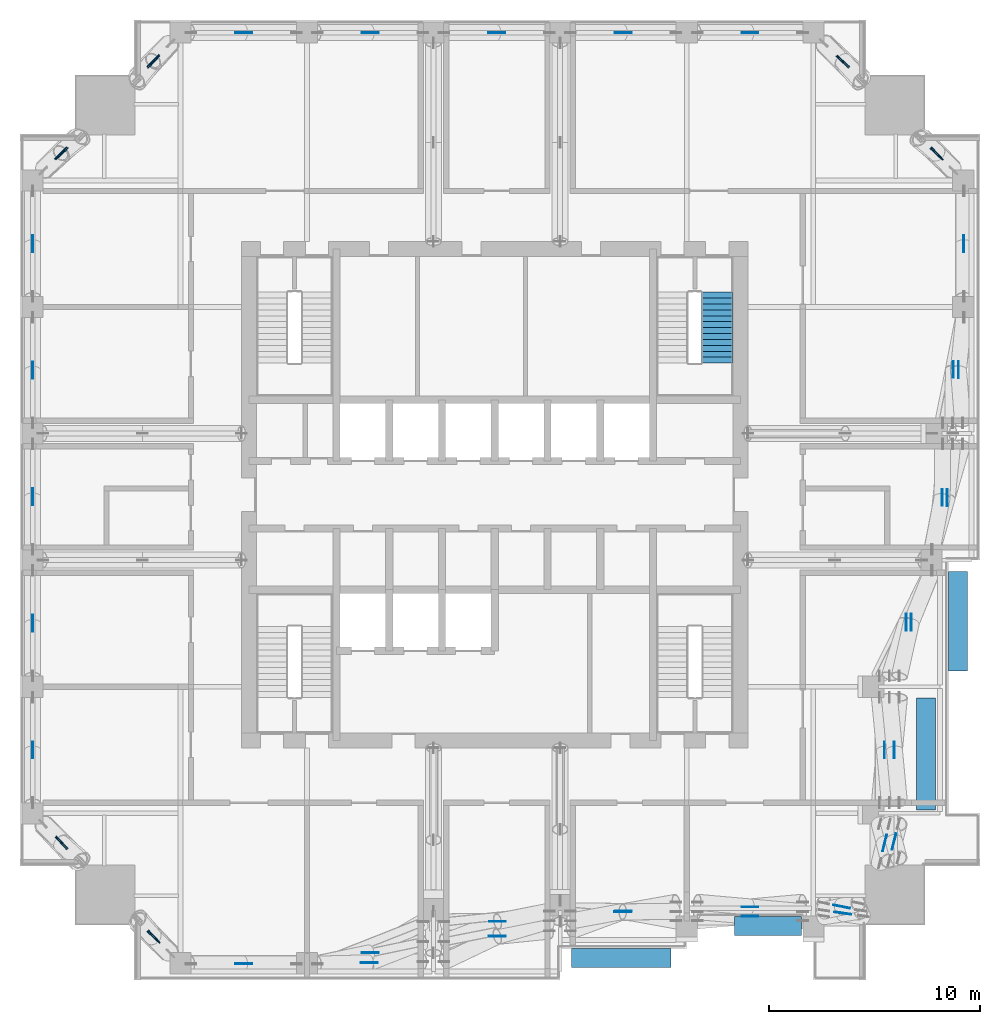
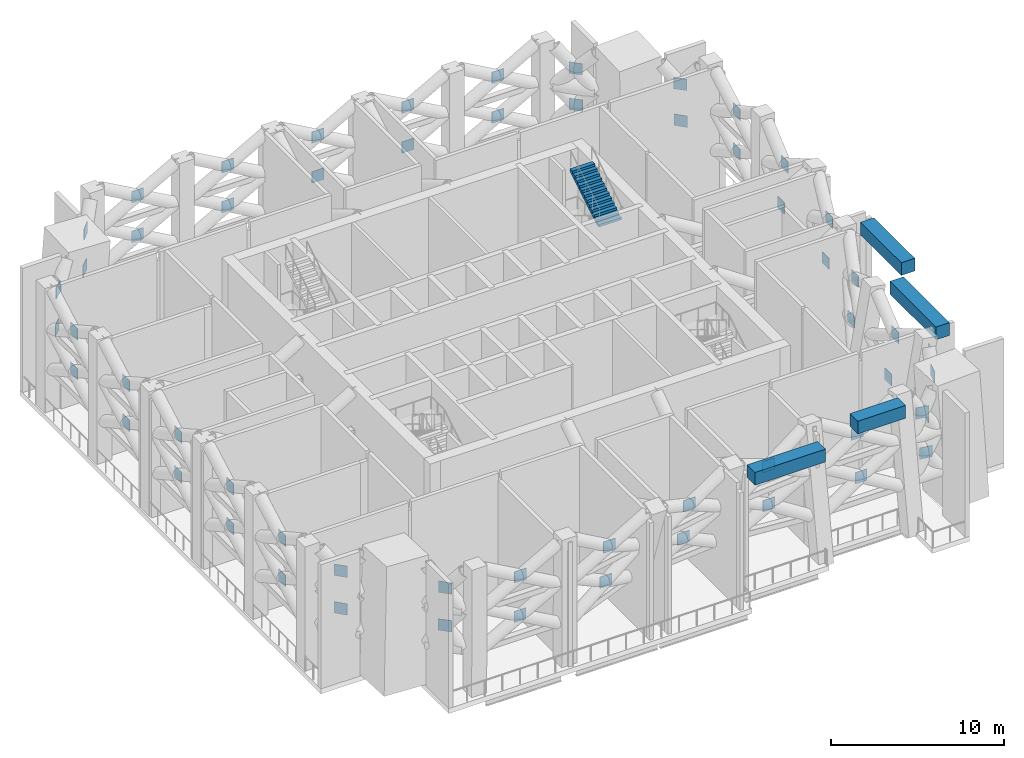
# One storey, part 11 of 18: 60 discrete accessories, 1 stair flight, 1 element without a shape of its own.
"""IFC4 building model written with IfcOpenShell, lengths in metres."""

from ifc_helpers import new_model, si_unit, direction, frame, origin, origin_2d, place, context, subcontext, project, spatial, polyline, rectangle, outline, extrude, material, type_object, element, aggregate, save


model = new_model("IFC4")

# Units and contexts
model_context = context("Model", 3, precision=1e-05, world=origin(), true_north=direction((0.0, 1.0)))
body_context = subcontext(model_context, "Body", "Model", "MODEL_VIEW")
ifc_project = project(units=[si_unit("LENGTHUNIT", "METRE"), si_unit("AREAUNIT", "SQUARE_METRE"), si_unit("VOLUMEUNIT", "CUBIC_METRE"), si_unit("PLANEANGLEUNIT", "RADIAN"), si_unit("MASSUNIT", "GRAM", prefix="KILO")], contexts=[model_context])

# Site, building, storey
site_placement = place(None, origin())
site = spatial("IfcSite", under=ifc_project, at=site_placement, CompositionType="ELEMENT")
building_placement = place(site_placement, origin())
building = spatial("IfcBuilding", under=site, at=building_placement, Name="Amberfall Residences", CompositionType="ELEMENT")
storey_placement = place(building_placement, frame((0.0, 0.0, 178.0)))
storey = spatial("IfcBuildingStorey", under=building, at=storey_placement, Name="L48", CompositionType="ELEMENT", Elevation=178.0)

# Stair, stair flight
ifc_material = material(Name="Concrete C40", Category="concrete")
stair_type = type_object("IfcStairType", Name="Exit stair 52 risers 173.1 mm", PredefinedType="HALF_TURN_STAIR", material=ifc_material)
stair_placement = place(storey_placement, origin())
stair = element("IfcStair", 1, at=stair_placement, inside=storey, type_object=stair_type, Name="L48 Exit stair 3", PredefinedType="HALF_TURN_STAIR")
stair_flight_type = type_object("IfcStairFlightType", Name="Stair flight 13 risers 173.1 mm", PredefinedType="STRAIGHT", material=ifc_material)
stair_flight_placement = place(storey_placement, frame((85.050048828125, 51.739990234375, 6.75), z_axis=(0.0, 0.0, 1.0), x_axis=(0.0, 1.0, 0.0)))
stair_flight = element("IfcStairFlight", 2, at=stair_flight_placement, type_object=stair_flight_type, Name="ST4 flight 4", NumberOfRisers=13, NumberOfTreads=12, PredefinedType="STRAIGHT", RiserHeight=0.173076923, TreadLength=0.28, context=body_context, shape_type="SweptSolid", body=[
    extrude(outline(polyline([(0.0, 0.0), (0.0, 0.173095703125), (0.280029296875, 0.173095703125), (0.280029296875, 0.34619140625), (0.56005859375, 0.34619140625), (0.56005859375, 0.519287109375), (0.840087890625, 0.519287109375), (0.840087890625, 0.6923828125), (1.1201171875, 0.6923828125), (1.1201171875, 0.865478515625), (1.39990234375, 0.865478515625), (1.39990234375, 1.03857421875), (1.679931640625, 1.03857421875), (1.679931640625, 1.21142578125), (1.9599609375, 1.21142578125), (1.9599609375, 1.384521484375), (2.239990234375, 1.384521484375), (2.239990234375, 1.5576171875), (2.52001953125, 1.5576171875), (2.52001953125, 1.730712890625), (2.800048828125, 1.730712890625), (2.800048828125, 1.90380859375), (3.080078125, 1.90380859375), (3.080078125, 2.076904296875), (3.360107421875, 2.076904296875), (3.360107421875, 2.25), (3.360107421875, 1.900634765625), (0.28515625, 0.0), (0.0, 0.0)])), frame((0.0, 0.75, 0.0), z_axis=(0.0, -1.0, 0.0), x_axis=(1.0, 0.0, 0.0)), (0.0, 0.0, 1.0), 1.5),
])
aggregate(stair, [stair_flight])

# Discrete accessories
for number, where, z_axis, x_axis, name in (
    (3, (62.60009765625, 23.275146484375, 3.89990234375), (0.0, 0.0, 1.0), (1.0, 0.0, 0.0), "Connection plate L48"),
    (4, (62.60009765625, 23.26025390625, 6.7001953125), (0.0, 0.0, 1.0), (1.0, 0.0, 0.0), "Connection plate L48"),
    (5, (68.59912109375, 23.79638671875, 3.8994140625), (0.0, 0.0, 1.0), (1.0, 0.0, 0.0), "Connection plate L48"),
    (6, (68.557373046875, 23.3154296875, 6.67626953125), (0.0, 0.0, 1.0), (1.0, 0.0, 0.0), "Connection plate L48"),
    (7, (74.633056640625, 25.27490234375, 3.91845703125), (0.0, 0.0, 1.0), (1.0, 0.0, 0.0), "Connection plate L48"),
    (8, (74.621826171875, 24.567626953125, 6.71240234375), (0.0, 0.0, 1.0), (1.0, 0.0, 0.0), "Connection plate L48"),
    (9, (80.6025390625, 25.753662109375, 3.9013671875), (0.0, 0.0, 1.0), (1.0, 0.0, 0.0), "Connection plate L48"),
    (10, (80.56201171875, 25.7314453125, 6.6787109375), (0.0, 0.0, 1.0), (1.0, 0.0, 0.0), "Connection plate L48"),
    (11, (86.60009765625, 25.52099609375, 3.89990234375), (0.0, 0.0, 1.0), (1.0, 0.0, 0.0), "Connection plate L48"),
    (12, (86.60009765625, 25.962646484375, 6.7001953125), (0.0, 0.0, 1.0), (1.0, 0.0, 0.0), "Connection plate L48"),
    (13, (92.970703125, 33.39990234375, 3.89990234375), (0.0, 0.0, 1.0), (0.0, 1.0, 0.0), "Connection plate L48"),
    (14, (93.443359375, 33.39990234375, 6.7001953125), (0.0, 0.0, 1.0), (0.0, 1.0, 0.0), "Connection plate L48"),
    (15, (94.011962890625, 39.457275390625, 3.93212890625), (0.0, 0.0, 1.0), (0.0, 1.0, 0.0), "Connection plate L48"),
    (16, (94.248291015625, 39.451904296875, 6.72900390625), (0.0, 0.0, 1.0), (0.0, 1.0, 0.0), "Connection plate L48"),
    (17, (95.70556640625, 45.3662109375, 3.880859375), (0.0, 0.0, 1.0), (0.0, 1.0, 0.0), "Connection plate L48"),
    (18, (95.943603515625, 45.357421875, 6.67626953125), (0.0, 0.0, 1.0), (0.0, 1.0, 0.0), "Connection plate L48"),
    (19, (96.240234375, 51.43408203125, 3.9189453125), (0.0, 0.0, 1.0), (0.0, 1.0, 0.0), "Connection plate L48"),
    (20, (96.479736328125, 51.42431640625, 6.71337890625), (0.0, 0.0, 1.0), (0.0, 1.0, 0.0), "Connection plate L48"),
    (21, (96.724853515625, 57.39990234375, 3.89990234375), (0.0, 0.0, 1.0), (0.0, 1.0, 0.0), "Connection plate L48"),
    (22, (96.73974609375, 57.39990234375, 6.7001953125), (0.0, 0.0, 1.0), (0.0, 1.0, 0.0), "Connection plate L48"),
    (23, (62.60009765625, 67.39990234375, 3.89990234375), (0.0, 0.0, 1.0), (1.0, 0.0, 0.0), "Connection plate L48"),
    (24, (62.60009765625, 67.39990234375, 6.7001953125), (0.0, 0.0, 1.0), (1.0, 0.0, 0.0), "Connection plate L48"),
    (25, (68.60009765625, 67.39990234375, 3.89990234375), (0.0, 0.0, 1.0), (1.0, 0.0, 0.0), "Connection plate L48"),
    (26, (68.60009765625, 67.39990234375, 6.7001953125), (0.0, 0.0, 1.0), (1.0, 0.0, 0.0), "Connection plate L48"),
    (27, (74.60009765625, 67.39990234375, 3.89990234375), (0.0, 0.0, 1.0), (1.0, 0.0, 0.0), "Connection plate L48"),
    (28, (74.60009765625, 67.39990234375, 6.7001953125), (0.0, 0.0, 1.0), (1.0, 0.0, 0.0), "Connection plate L48"),
    (29, (80.60009765625, 67.39990234375, 3.89990234375), (0.0, 0.0, 1.0), (1.0, 0.0, 0.0), "Connection plate L48"),
    (30, (80.60009765625, 67.39990234375, 6.7001953125), (0.0, 0.0, 1.0), (1.0, 0.0, 0.0), "Connection plate L48"),
    (31, (86.60009765625, 67.39990234375, 3.89990234375), (0.0, 0.0, 1.0), (1.0, 0.0, 0.0), "Connection plate L48"),
    (32, (86.60009765625, 67.39990234375, 6.7001953125), (0.0, 0.0, 1.0), (1.0, 0.0, 0.0), "Connection plate L48"),
    (33, (52.60009765625, 33.39990234375, 3.89990234375), (0.0, 0.0, 1.0), (0.0, 1.0, 0.0), "Connection plate L48"),
    (34, (52.60009765625, 33.39990234375, 6.7001953125), (0.0, 0.0, 1.0), (0.0, 1.0, 0.0), "Connection plate L48"),
    (35, (52.60009765625, 39.39990234375, 3.89990234375), (0.0, 0.0, 1.0), (0.0, 1.0, 0.0), "Connection plate L48"),
    (36, (52.60009765625, 39.39990234375, 6.7001953125), (0.0, 0.0, 1.0), (0.0, 1.0, 0.0), "Connection plate L48"),
    (37, (52.60009765625, 45.39990234375, 3.89990234375), (0.0, 0.0, 1.0), (0.0, 1.0, 0.0), "Connection plate L48"),
    (38, (52.60009765625, 45.39990234375, 6.7001953125), (0.0, 0.0, 1.0), (0.0, 1.0, 0.0), "Connection plate L48"),
    (39, (52.60009765625, 51.39990234375, 3.89990234375), (0.0, 0.0, 1.0), (0.0, 1.0, 0.0), "Connection plate L48"),
    (40, (52.60009765625, 51.39990234375, 6.7001953125), (0.0, 0.0, 1.0), (0.0, 1.0, 0.0), "Connection plate L48"),
    (41, (52.60009765625, 57.39990234375, 3.89990234375), (0.0, 0.0, 1.0), (0.0, 1.0, 0.0), "Connection plate L48"),
    (42, (52.60009765625, 57.39990234375, 6.7001953125), (0.0, 0.0, 1.0), (0.0, 1.0, 0.0), "Connection plate L48"),
    (43, (95.4736328125, 61.67724609375, 3.91845703125), (0.0, 0.0, 1.0), (0.689417289916, -0.724364411305, 0.0), "Connection plate L48"),
    (44, (95.428466796875, 61.64208984375, 6.5390625), (0.0, 0.0, 1.0), (0.71648459999, -0.697602908521, 0.0), "Connection plate L48"),
    (45, (91.01806640625, 66.054931640625, 3.94580078125), (0.0, 0.0, 1.0), (-0.735978938766, 0.67700443255, 0.0), "Connection plate L48"),
    (46, (90.973388671875, 66.00927734375, 6.54736328125), (0.0, 0.0, 1.0), (-0.712920074263, 0.701245297819, 0.0), "Connection plate L48"),
    (47, (58.30859375, 66.06884765625, 3.89794921875), (0.0, 0.0, 1.0), (0.70793316742, 0.706279428036, 0.0), "Connection plate L48"),
    (48, (58.339599609375, 66.008544921875, 6.54638671875), (0.0, 0.0, 1.0), (0.682496018705, 0.73088931067, 0.0), "Connection plate L48"),
    (49, (53.93115234375, 61.69140625, 3.89794921875), (0.0, 0.0, 1.0), (-0.706279428036, -0.70793316742, 0.0), "Connection plate L48"),
    (50, (53.991455078125, 61.660400390625, 6.54638671875), (0.0, 0.0, 1.0), (-0.73088931067, -0.682496018705, 0.0), "Connection plate L48"),
    (51, (92.982177734375, 28.997802734375, 3.96728515625), (0.0, 0.0, 1.0), (0.2326985686, 0.972548906827, 0.0), "Connection plate L48"),
    (52, (93.425537109375, 29.0576171875, 6.6162109375), (0.0, 0.0, 1.0), (0.2441058769, 0.96974858642, 0.0), "Connection plate L48"),
    (53, (91.002685546875, 25.664306640625, 3.9677734375), (0.0, 0.0, 1.0), (-0.989778720102, 0.14261165883, 0.0), "Connection plate L48"),
    (54, (90.942626953125, 25.975341796875, 6.6162109375), (0.0, 0.0, 1.0), (-0.980573598175, 0.196151519397, 0.0), "Connection plate L48"),
    (55, (58.32275390625, 24.5263671875, 3.91845703125), (0.0, 0.0, 1.0), (0.724364411305, -0.689417289916, 0.0), "Connection plate L48"),
    (56, (58.35791015625, 24.571533203125, 6.5390625), (0.0, 0.0, 1.0), (0.697602908521, -0.71648459999, 0.0), "Connection plate L48"),
    (57, (53.945068359375, 28.98193359375, 3.94580078125), (0.0, 0.0, 1.0), (-0.67700443255, 0.735978938766, 0.0), "Connection plate L48"),
    (58, (53.99072265625, 29.026611328125, 6.54736328125), (0.0, 0.0, 1.0), (-0.701245297819, 0.712920074263, 0.0), "Connection plate L48"),
):
    element("IfcDiscreteAccessory", number, at=place(storey_placement, frame(where, z_axis=z_axis, x_axis=x_axis)), inside=storey, Name=name, PredefinedType="BRACKET", context=body_context, shape_type="SweptSolid", body=[
        extrude(rectangle(XDim=0.800048828125, YDim=0.0400390625, at=origin_2d()), origin(), (0.0, 0.0, 1.0), 0.800048828125),
    ])
discrete_accessory_1_placement = place(storey_placement, frame((80.4951171875, 23.550048828125, 8.10009765625), z_axis=(0.0, 0.0, 1.0), x_axis=(1.0, 0.0, 0.0)))
element("IfcDiscreteAccessory", 59, at=discrete_accessory_1_placement, inside=storey, Name="Planter box L49 S3", ObjectType="PLANTER BOX", PredefinedType="USERDEFINED", context=body_context, shape_type="SweptSolid", body=[
    extrude(rectangle(XDim=4.7099609375, YDim=0.89990234375, at=origin_2d()), origin(), (0.0, 0.0, 1.0), 0.89990234375),
])
discrete_accessory_2_placement = place(storey_placement, frame((87.447998046875, 25.050048828125, 8.10009765625), z_axis=(0.0, 0.0, 1.0), x_axis=(1.0, 0.0, 0.0)))
element("IfcDiscreteAccessory", 60, at=discrete_accessory_2_placement, inside=storey, Name="Planter box L49 S5", ObjectType="PLANTER BOX", PredefinedType="USERDEFINED", context=body_context, shape_type="SweptSolid", body=[
    extrude(rectangle(XDim=3.183837890625, YDim=0.89990234375, at=origin_2d()), origin(), (0.0, 0.0, 1.0), 0.89990234375),
])
discrete_accessory_3_placement = place(storey_placement, frame((94.949951171875, 33.205078125, 8.10009765625), z_axis=(0.0, 0.0, 1.0), x_axis=(0.0, 1.0, 0.0)))
element("IfcDiscreteAccessory", 61, at=discrete_accessory_3_placement, inside=storey, Name="Planter box L49 E3", ObjectType="PLANTER BOX", PredefinedType="USERDEFINED", context=body_context, shape_type="SweptSolid", body=[
    extrude(rectangle(XDim=5.31005859375, YDim=0.89990234375, at=origin_2d()), origin(), (0.0, 0.0, 1.0), 0.89990234375),
])
discrete_accessory_4_placement = place(storey_placement, frame((96.449951171875, 39.5048828125, 8.10009765625), z_axis=(0.0, 0.0, 1.0), x_axis=(0.0, 1.0, 0.0)))
element("IfcDiscreteAccessory", 62, at=discrete_accessory_4_placement, inside=storey, Name="Planter box L49 E5", ObjectType="PLANTER BOX", PredefinedType="USERDEFINED", context=body_context, shape_type="SweptSolid", body=[
    extrude(rectangle(XDim=4.7099609375, YDim=0.89990234375, at=origin_2d()), origin(), (0.0, 0.0, 1.0), 0.89990234375),
])

save(model, "model.ifc")
